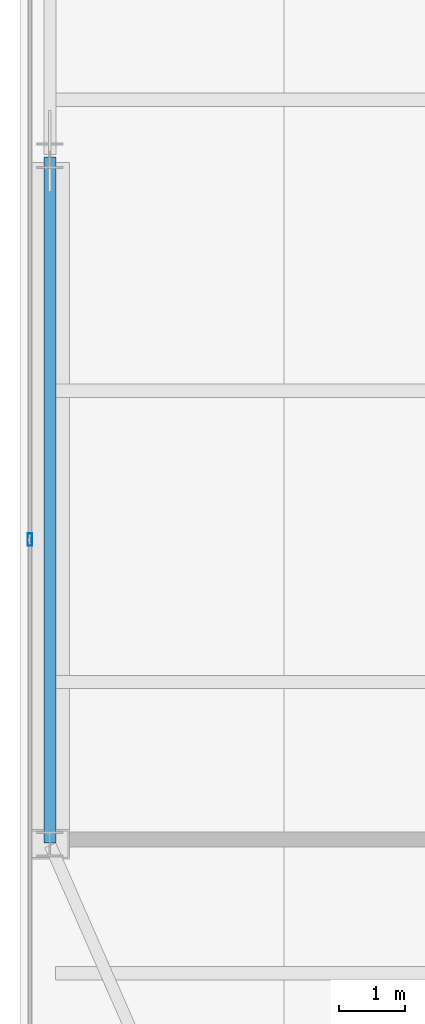
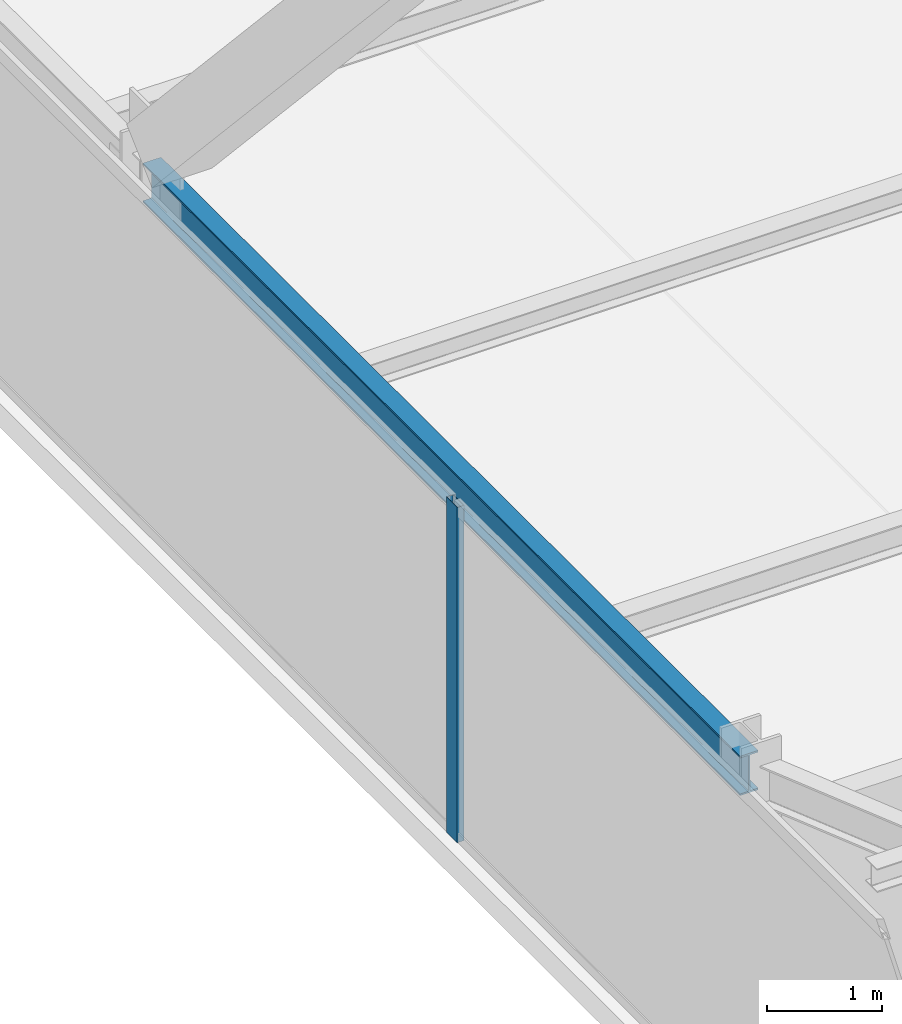
# One storey, part 8 of 37: 1 beam, 1 member, 1 element without a shape of its own.
"""IFC4 building model written with IfcOpenShell, lengths in metres."""

from ifc_helpers import new_model, si_unit, direction, frame, origin, origin_2d, place, context, subcontext, project, spatial, hollow_rectangle, i_section, extrude, source, transform, mapped, material, layer, layer_set, material_profile, profile_set, type_object, type_shapes, element, aggregate, save


model = new_model("IFC4")

# Units and contexts
model_context = context("Model", 3, precision=1e-05, world=origin(), true_north=direction((0.0, 1.0)))
body_context = subcontext(model_context, "Body", "Model", "MODEL_VIEW")
ifc_project = project(units=[si_unit("LENGTHUNIT", "METRE"), si_unit("AREAUNIT", "SQUARE_METRE"), si_unit("VOLUMEUNIT", "CUBIC_METRE"), si_unit("PLANEANGLEUNIT", "RADIAN"), si_unit("MASSUNIT", "GRAM", prefix="KILO")], contexts=[model_context])

# Site, building, storey
site_placement = place(None, origin())
site = spatial("IfcSite", under=ifc_project, at=site_placement, CompositionType="ELEMENT")
building_placement = place(site_placement, origin())
building = spatial("IfcBuilding", under=site, at=building_placement, Name="Varnel Quay Broadcast Tower", CompositionType="ELEMENT")
storey_placement = place(building_placement, frame((0.0, 0.0, 125.800048828125)))
storey = spatial("IfcBuildingStorey", under=building, at=storey_placement, Name="L30", CompositionType="ELEMENT", Elevation=125.800048828125)

# Beam
ifc_material_1 = material(Name="Structural Steel CSA G40.21 350W", Category="steel")
ifc_material_profile_1 = material_profile(ifc_material_1, i_section(OverallWidth=0.180908203125, OverallDepth=0.4169921875, WebThickness=0.010986328125, FlangeThickness=0.018310546875, FilletRadius=0.011962890625, at=origin_2d()), Name="W410X85")
ifc_profile_set_1 = profile_set([ifc_material_profile_1], Name="Structural Steel CSA G40.21 350W")
beam_type = type_object("IfcBeamType", Name="Beam_W410X85", PredefinedType="SPANDREL", material=ifc_profile_set_1)
shared_shape_1 = source(origin(), body_context, "Body", "SweptSolid", [
    extrude(i_section(OverallWidth=0.180908203125, OverallDepth=0.4169921875, WebThickness=0.010986328125, FlangeThickness=0.018310546875, FilletRadius=0.011962890625, at=origin_2d()), origin(), (0.0, 0.0, 1.0), 10.35986328125),
])
type_shapes(beam_type, [shared_shape_1])
beam_placement = place(storey_placement, frame((4.949951171875, 15.02001953125, 3.341552734375), z_axis=(0.0, 1.0, 0.0), x_axis=(-1.0, 0.0, 0.0)))
element("IfcBeam", 1, at=beam_placement, inside=storey, type_object=beam_type, Name="L30 West Spandrel TC-W1-TC-W2", PredefinedType="SPANDREL", context=body_context, shape_type="MappedRepresentation", body=[
    mapped(shared_shape_1, transform((0.0, 0.0, 0.0), x_axis=(1.0, 0.0, 0.0), y_axis=(0.0, 1.0, 0.0), z_axis=(0.0, 0.0, 1.0), scale=1.0)),
])

# Curtain wall, member
ifc_material_2 = material(Name="Anodised Bronze Aluminium 6063-T6", Category="aluminium")
ifc_layer = layer(ifc_material_2, 0.18994140625, Name="Anodised Bronze Aluminium 6063-T6")
ifc_layer_set = layer_set([ifc_layer], Name="Anodised Bronze Aluminium 6063-T6")
curtain_wall_type = type_object("IfcCurtainWallType", Name="CW_LowerTower", PredefinedType="NOTDEFINED", material=ifc_layer_set)
curtain_wall_placement = place(storey_placement, origin())
curtain_wall = element("IfcCurtainWall", 2, at=curtain_wall_placement, inside=storey, type_object=curtain_wall_type, Name="L30 West Unitised Curtain Wall", PredefinedType="NOTDEFINED")
ifc_material_profile_2 = material_profile(ifc_material_2, hollow_rectangle(XDim=0.070068359375, YDim=0.18994140625, WallThickness=0.00390625, at=origin_2d()), Name="ALU70X190X4")
ifc_profile_set_2 = profile_set([ifc_material_profile_2], Name="Anodised Bronze Aluminium 6063-T6")
member_type = type_object("IfcMemberType", Name="Mull_CWS-02", PredefinedType="MULLION", material=ifc_profile_set_2)
shared_shape_2 = source(origin(), body_context, "Body", "SweptSolid", [
    extrude(hollow_rectangle(XDim=0.070068359375, YDim=0.18994140625, WallThickness=0.00390625, at=origin_2d()), origin(), (0.0, 0.0, 1.0), 3.550048828125),
])
type_shapes(member_type, [shared_shape_2])
member_placement = place(storey_placement, frame((4.64990234375, 19.60009765625, 0.0), z_axis=(0.0, 0.0, 1.0), x_axis=(-1.0, 0.0, 0.0)))
member = element("IfcMember", 3, at=member_placement, type_object=member_type, Name="CWS-02 mullion 2", PredefinedType="MULLION", context=body_context, shape_type="MappedRepresentation", body=[
    mapped(shared_shape_2, transform((0.0, 0.0, 0.0), x_axis=(1.0, 0.0, 0.0), y_axis=(0.0, 1.0, 0.0), z_axis=(0.0, 0.0, 1.0), scale=1.0)),
])
aggregate(curtain_wall, [member])

save(model, "model.ifc")
